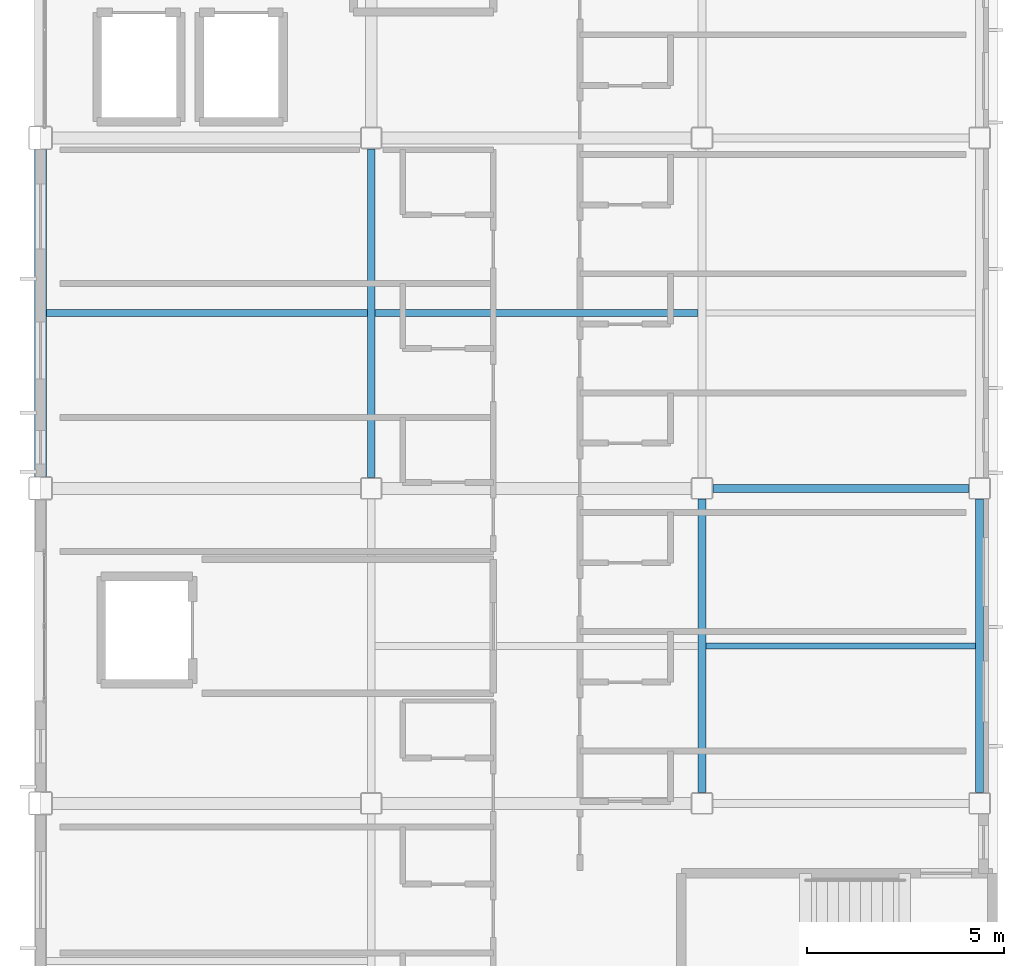
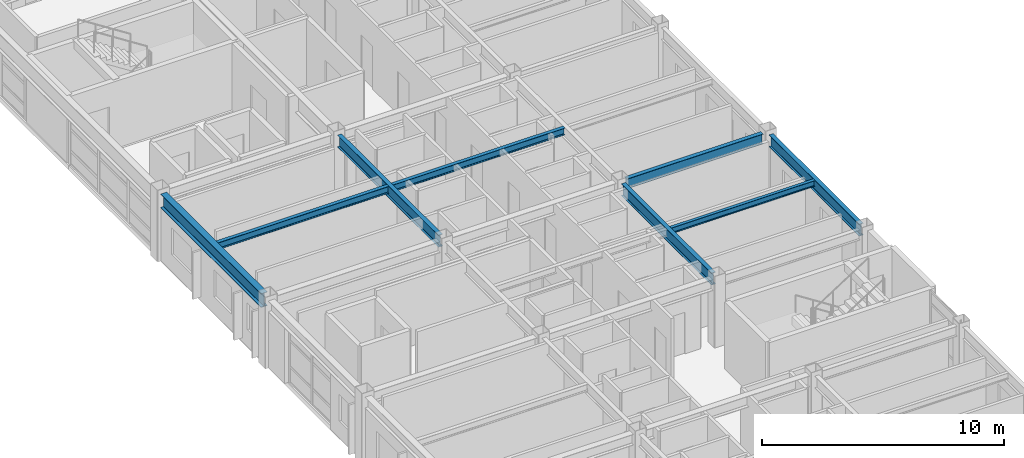
# One storey, part 11 of 38: 8 beams.
"""IFC4 building model written with IfcOpenShell, lengths in metres."""

from ifc_helpers import new_model, si_unit, direction, frame, origin, origin_2d, place, context, subcontext, project, spatial, i_section, extrude, material, material_profile, profile_set, type_object, element, save


model = new_model("IFC4")

# Units and contexts
model_context = context("Model", 3, precision=1e-05, world=origin(), true_north=direction((0.0, 1.0)))
body_context = subcontext(model_context, "Body", "Model", "MODEL_VIEW")
ifc_project = project(units=[si_unit("LENGTHUNIT", "METRE"), si_unit("AREAUNIT", "SQUARE_METRE"), si_unit("VOLUMEUNIT", "CUBIC_METRE"), si_unit("PLANEANGLEUNIT", "RADIAN"), si_unit("MASSUNIT", "GRAM", prefix="KILO")], contexts=[model_context])

# Site, building, storey
site_placement = place(None, origin())
site = spatial("IfcSite", under=ifc_project, at=site_placement, CompositionType="ELEMENT")
building_placement = place(site_placement, origin())
building = spatial("IfcBuilding", under=site, at=building_placement, Name="Kazehara Bluff Congress Hotel", CompositionType="ELEMENT")
storey_placement = place(building_placement, frame((0.0, 0.0, 24.60009765625)))
storey = spatial("IfcBuildingStorey", under=building, at=storey_placement, Name="L05", CompositionType="ELEMENT", Elevation=24.60009765625)

# Beams
ifc_material_1 = material(Name="Steel SN490B", Category="steel")
ifc_material_profile_1 = material_profile(ifc_material_1, i_section(OverallWidth=0.199951171875, OverallDepth=0.5, WebThickness=0.010009765625, FlangeThickness=0.01611328125, FilletRadius=0.012939453125, at=origin_2d()))
ifc_profile_set_1 = profile_set([ifc_material_profile_1], Name="Steel SN490B")
beam_type_1 = type_object("IfcBeamType", Name="TP-G-01", PredefinedType="BEAM", material=ifc_profile_set_1)
beam_1_placement = place(storey_placement, frame((160.77490234375, 32.0, 3.1298828125), z_axis=(1.0, 0.0, 0.0), x_axis=(0.0, 1.0, 0.0)))
element("IfcBeam", 1, at=beam_1_placement, inside=storey, type_object=beam_type_1, Name="L05 girder G-01 58", PredefinedType="BEAM", context=body_context, shape_type="SweptSolid", body=[
    extrude(i_section(OverallWidth=0.199951171875, OverallDepth=0.5, WebThickness=0.010009765625, FlangeThickness=0.01611328125, FilletRadius=0.012939453125, at=origin_2d()), origin(), (0.0, 0.0, 1.0), 6.5),
])
ifc_material_2 = material(Name="Steel SN490B", Category="steel")
ifc_material_profile_2 = material_profile(ifc_material_2, i_section(OverallWidth=0.199951171875, OverallDepth=0.60009765625, WebThickness=0.010986328125, FlangeThickness=0.01708984375, FilletRadius=0.012939453125, at=origin_2d()))
ifc_profile_set_2 = profile_set([ifc_material_profile_2], Name="Steel SN490B")
beam_type_2 = type_object("IfcBeamType", Name="TP-G-02", PredefinedType="BEAM", material=ifc_profile_set_2)
beam_2_placement = place(storey_placement, frame((152.10009765625, 32.27490234375, 3.079833984375), z_axis=(0.0, 1.0, 0.0), x_axis=(-1.0, 0.0, 0.0)))
element("IfcBeam", 2, at=beam_2_placement, inside=storey, type_object=beam_type_2, Name="L05 girder G-02 17", PredefinedType="BEAM", context=body_context, shape_type="SweptSolid", body=[
    extrude(i_section(OverallWidth=0.199951171875, OverallDepth=0.60009765625, WebThickness=0.010986328125, FlangeThickness=0.01708984375, FilletRadius=0.012939453125, at=origin_2d()), origin(), (0.0, 0.0, 1.0), 8.35009765625),
])
for number, where, z_axis, x_axis, name in (
    (3, (160.5, 24.27490234375, 3.079833984375), (0.0, 1.0, 0.0), (-1.0, 0.0, 0.0), "L05 girder G-02 26"),
    (4, (167.550048828125, 24.27490234375, 3.079833984375), (0.0, 1.0, 0.0), (-1.0, 0.0, 0.0), "L05 girder G-02 36"),
):
    element("IfcBeam", number, at=place(storey_placement, frame(where, z_axis=z_axis, x_axis=x_axis)), inside=storey, type_object=beam_type_2, Name=name, PredefinedType="BEAM", context=body_context, shape_type="SweptSolid", body=[
        extrude(i_section(OverallWidth=0.199951171875, OverallDepth=0.60009765625, WebThickness=0.010986328125, FlangeThickness=0.01708984375, FilletRadius=0.012939453125, at=origin_2d()), origin(), (0.0, 0.0, 1.0), 7.4501953125),
    ])
ifc_material_3 = material(Name="Steel SN400B", Category="steel")
ifc_material_profile_3 = material_profile(ifc_material_3, i_section(OverallWidth=0.14990234375, OverallDepth=0.300048828125, WebThickness=0.006591796875, FlangeThickness=0.009033203125, FilletRadius=0.012939453125, at=origin_2d()))
ifc_profile_set_3 = profile_set([ifc_material_profile_3], Name="Steel SN400B")
beam_type_3 = type_object("IfcBeamType", Name="TP-J-01", PredefinedType="JOIST", material=ifc_profile_set_3)
beam_3_placement = place(storey_placement, frame((160.60009765625, 28.0, 3.22998046875), z_axis=(1.0, 0.0, 0.0), x_axis=(0.0, 1.0, 0.0)))
element("IfcBeam", 5, at=beam_3_placement, inside=storey, type_object=beam_type_3, Name="L05 secondary joist J-01 19", PredefinedType="JOIST", context=body_context, shape_type="SweptSolid", body=[
    extrude(i_section(OverallWidth=0.14990234375, OverallDepth=0.300048828125, WebThickness=0.006591796875, FlangeThickness=0.009033203125, FilletRadius=0.012939453125, at=origin_2d()), origin(), (0.0, 0.0, 1.0), 6.849853515625),
])
ifc_material_4 = material(Name="Steel SN400B", Category="steel")
ifc_material_profile_4 = material_profile(ifc_material_4, i_section(OverallWidth=0.175048828125, OverallDepth=0.35009765625, WebThickness=0.007080078125, FlangeThickness=0.010986328125, FilletRadius=0.012939453125, at=origin_2d()))
ifc_profile_set_4 = profile_set([ifc_material_profile_4], Name="Steel SN400B")
beam_type_4 = type_object("IfcBeamType", Name="TP-J-02", PredefinedType="JOIST", material=ifc_profile_set_4)
beam_4_placement = place(storey_placement, frame((143.85009765625, 36.449951171875, 3.204833984375), z_axis=(1.0, 0.0, 0.0), x_axis=(0.0, 1.0, 0.0)))
element("IfcBeam", 6, at=beam_4_placement, inside=storey, type_object=beam_type_4, Name="L05 secondary joist J-02 4", PredefinedType="JOIST", context=body_context, shape_type="SweptSolid", body=[
    extrude(i_section(OverallWidth=0.175048828125, OverallDepth=0.35009765625, WebThickness=0.007080078125, FlangeThickness=0.010986328125, FilletRadius=0.012939453125, at=origin_2d()), origin(), (0.0, 0.0, 1.0), 8.14990234375),
])
beam_5_placement = place(storey_placement, frame((152.199951171875, 36.449951171875, 3.204833984375), z_axis=(1.0, 0.0, 0.0), x_axis=(0.0, 1.0, 0.0)))
element("IfcBeam", 7, at=beam_5_placement, inside=storey, type_object=beam_type_4, Name="L05 secondary joist J-02 13", PredefinedType="JOIST", context=body_context, shape_type="SweptSolid", body=[
    extrude(i_section(OverallWidth=0.175048828125, OverallDepth=0.35009765625, WebThickness=0.007080078125, FlangeThickness=0.010986328125, FilletRadius=0.012939453125, at=origin_2d()), origin(), (0.0, 0.0, 1.0), 8.199951171875),
])
ifc_material_5 = material(Name="Steel SN490B", Category="steel")
ifc_material_profile_5 = material_profile(ifc_material_5, i_section(OverallWidth=0.300048828125, OverallDepth=0.699951171875, WebThickness=0.012939453125, FlangeThickness=0.02392578125, FilletRadius=0.01806640625, at=origin_2d()))
ifc_profile_set_5 = profile_set([ifc_material_profile_5], Name="Steel SN490B")
beam_type_5 = type_object("IfcBeamType", Name="TP-SP-03", PredefinedType="SPANDREL", material=ifc_profile_set_5)
beam_6_placement = place(storey_placement, frame((143.699951171875, 32.300048828125, 3.02978515625), z_axis=(0.0, 1.0, 0.0), x_axis=(-1.0, 0.0, 0.0)))
element("IfcBeam", 8, at=beam_6_placement, inside=storey, type_object=beam_type_5, Name="L05 girder SP-03 5", PredefinedType="SPANDREL", context=body_context, shape_type="SweptSolid", body=[
    extrude(i_section(OverallWidth=0.300048828125, OverallDepth=0.699951171875, WebThickness=0.012939453125, FlangeThickness=0.02392578125, FilletRadius=0.01806640625, at=origin_2d()), origin(), (0.0, 0.0, 1.0), 8.300048828125),
])

save(model, "model.ifc")
